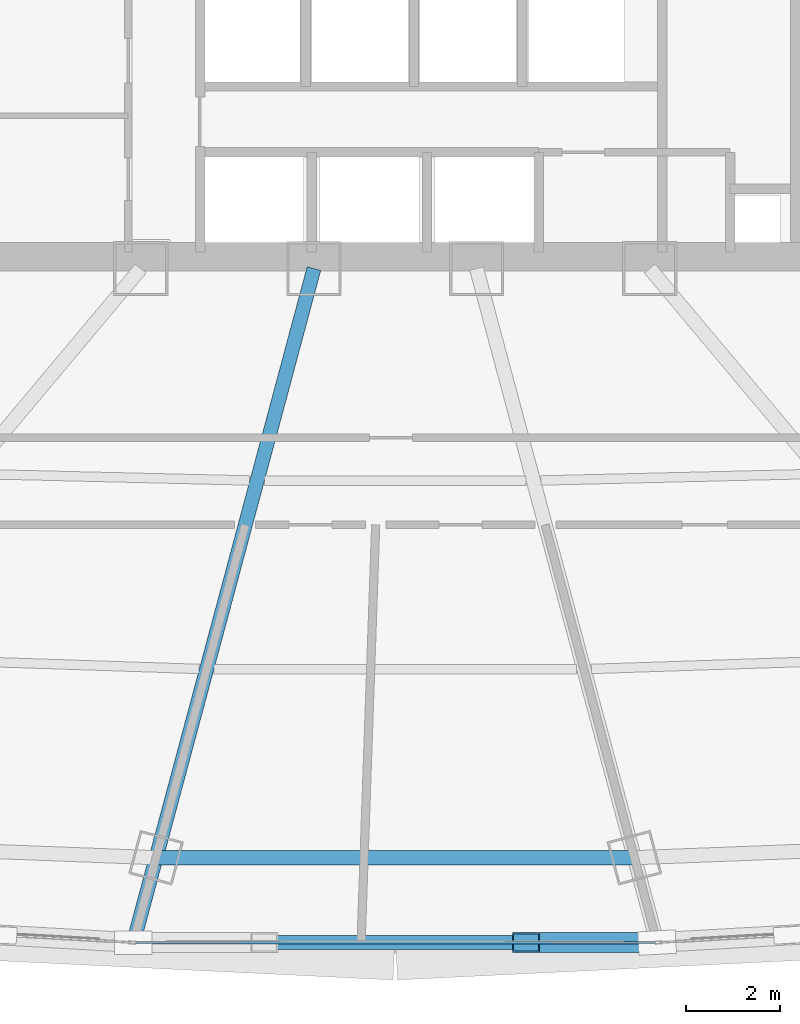
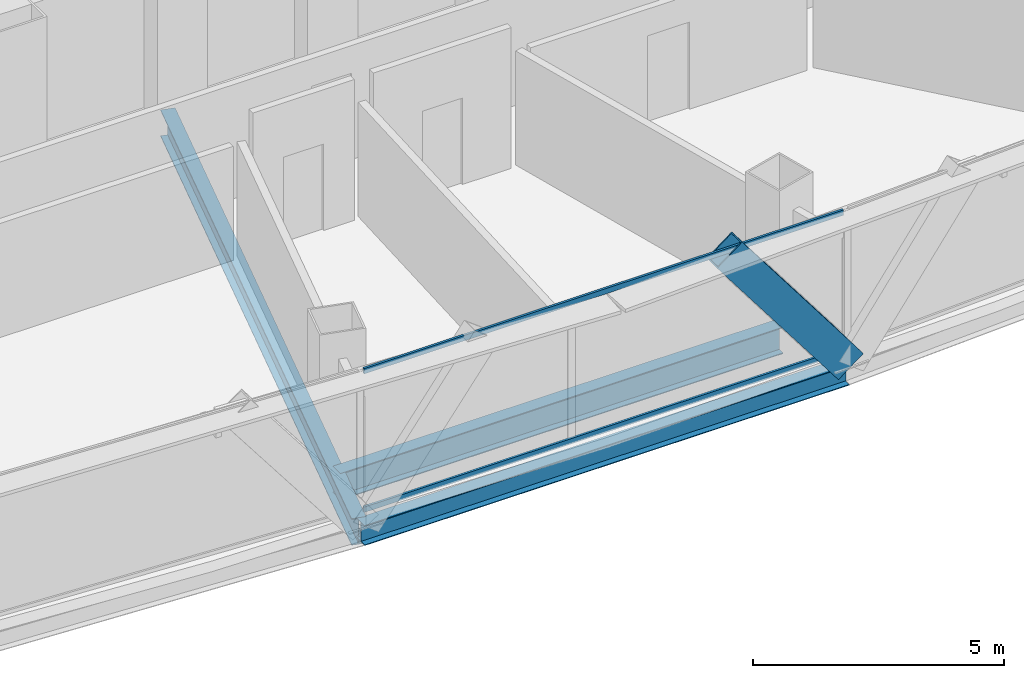
# One storey, part 11 of 42: 3 beams, 3 members, 1 element without a shape of its own.
"""IFC4 building model written with IfcOpenShell, lengths in metres."""

from ifc_helpers import new_model, si_unit, direction, frame, origin, origin_2d, place, context, subcontext, project, spatial, hollow_rectangle, i_section, extrude, source, transform, mapped, material, layer, layer_set, material_profile, profile_set, type_object, element, aggregate, save


model = new_model("IFC4")

# Units and contexts
model_context = context("Model", 3, precision=1e-05, world=origin(), true_north=direction((0.0, 1.0)))
body_context = subcontext(model_context, "Body", "Model", "MODEL_VIEW")
ifc_project = project(units=[si_unit("LENGTHUNIT", "METRE"), si_unit("AREAUNIT", "SQUARE_METRE"), si_unit("VOLUMEUNIT", "CUBIC_METRE"), si_unit("PLANEANGLEUNIT", "RADIAN"), si_unit("MASSUNIT", "GRAM", prefix="KILO"), si_unit("THERMODYNAMICTEMPERATUREUNIT", "KELVIN"), si_unit("POWERUNIT", "WATT")], contexts=[model_context])

# Site, building, storey
site_placement = place(None, origin())
site = spatial("IfcSite", under=ifc_project, at=site_placement, CompositionType="ELEMENT")
building_placement = place(site_placement, origin())
building = spatial("IfcBuilding", under=site, at=building_placement, Name="Yunzhuo Pagoda Commons", CompositionType="ELEMENT")
storey_placement = place(building_placement, frame((0.0, 0.0, 129.830078125)))
storey = spatial("IfcBuildingStorey", under=building, at=storey_placement, Name="L32", CompositionType="ELEMENT", Elevation=129.830078125)

# Beams
ifc_material_1 = material(Name="Structural steel Q355B", Category="steel")
ifc_material_profile_1 = material_profile(ifc_material_1, i_section(OverallWidth=0.300048828125, OverallDepth=0.488037109375, WebThickness=0.010986328125, FlangeThickness=0.01806640625, at=origin_2d()), Name="Structural steel Q355B")
ifc_profile_set_1 = profile_set([ifc_material_profile_1], Name="Structural steel Q355B")
beam_type_1 = type_object("IfcBeamType", Name="B-SP1 Beam HM 488x300x11x18", PredefinedType="BEAM", material=ifc_profile_set_1)
shared_shape_1 = source(origin(), body_context, "Body", "SweptSolid", [
    extrude(i_section(OverallWidth=0.300048828125, OverallDepth=0.488037109375, WebThickness=0.010986328125, FlangeThickness=0.01806640625, at=origin_2d()), origin(), (0.0, 0.0, 1.0), 11.13720703125),
])
beam_1_placement = place(storey_placement, frame((42.431640625, 12.917724609375, -0.504150390625), z_axis=(1.0, 0.0, 0.0), x_axis=(0.0, 1.0, 0.0)))
element("IfcBeam", 1, at=beam_1_placement, inside=storey, type_object=beam_type_1, Name="L32 facade edge spandrel beam F1.2", PredefinedType="BEAM", context=body_context, shape_type="MappedRepresentation", body=[
    mapped(shared_shape_1, transform((0.0, 0.0, 0.0), scale=1.0)),
])
ifc_material_profile_2 = material_profile(ifc_material_1, i_section(OverallWidth=0.300048828125, OverallDepth=0.64990234375, WebThickness=0.012939453125, FlangeThickness=0.02197265625, at=origin_2d()), Name="Structural steel Q355B")
ifc_profile_set_2 = profile_set([ifc_material_profile_2], Name="Structural steel Q355B")
beam_type_2 = type_object("IfcBeamType", Name="B-RG2 Beam HN 650x300x13x22", PredefinedType="BEAM", material=ifc_profile_set_2)
shared_shape_2 = source(origin(), body_context, "Body", "SweptSolid", [
    extrude(i_section(OverallWidth=0.300048828125, OverallDepth=0.64990234375, WebThickness=0.012939453125, FlangeThickness=0.02197265625, at=origin_2d()), origin(), (0.0, 0.0, 1.0), 14.68310546875),
])
beam_2_placement = place(storey_placement, frame((42.4716796875, 13.067138671875, -0.5849609375), z_axis=(0.258819472716, 0.96592571171, 0.0), x_axis=(-0.96592571171, 0.258819472716, 0.0)))
element("IfcBeam", 2, at=beam_2_placement, inside=storey, type_object=beam_type_2, Name="L32 radial floor girder F1C2", PredefinedType="BEAM", context=body_context, shape_type="MappedRepresentation", body=[
    mapped(shared_shape_2, transform((0.0, 0.0, 0.0), scale=1.0)),
])
shared_shape_3 = source(origin(), body_context, "Body", "SweptSolid", [
    extrude(i_section(OverallWidth=0.300048828125, OverallDepth=0.64990234375, WebThickness=0.012939453125, FlangeThickness=0.02197265625, at=origin_2d()), origin(), (0.0, 0.0, 1.0), 10.17041015625),
])
beam_3_placement = place(storey_placement, frame((42.914794921875, 14.7216796875, -0.5849609375), z_axis=(1.0, 0.0, 0.0), x_axis=(0.0, 1.0, 0.0)))
element("IfcBeam", 3, at=beam_3_placement, inside=storey, type_object=beam_type_2, Name="L32 column-ring beam 2", PredefinedType="BEAM", context=body_context, shape_type="MappedRepresentation", body=[
    mapped(shared_shape_3, transform((0.0, 0.0, 0.0), scale=1.0)),
])

# Member
ifc_material_2 = material(Name="Structural steel Q420B", Category="steel")
ifc_material_profile_3 = material_profile(ifc_material_2, hollow_rectangle(XDim=0.419921875, YDim=0.719970703125, WallThickness=0.028076171875, at=origin_2d()), Name="Structural steel Q420B")
ifc_profile_set_3 = profile_set([ifc_material_profile_3], Name="Structural steel Q420B")
member_type_1 = type_object("IfcMemberType", Name="M-DL1 Brace BOX 720x420x28", PredefinedType="BRACE", material=ifc_profile_set_3)
shared_shape_4 = source(origin(), body_context, "Body", "SweptSolid", [
    extrude(hollow_rectangle(XDim=0.419921875, YDim=0.719970703125, WallThickness=0.028076171875, at=origin_2d()), origin(), (0.0, 0.0, 1.0), 4.61474609375),
])
member_1_placement = place(storey_placement, frame((53.56884765625, 12.917724609375, -0.260009765625), z_axis=(-0.603389025973, 0.0, 0.797446978385), x_axis=(0.0, -1.0, 0.0)))
element("IfcMember", 4, at=member_1_placement, inside=storey, type_object=member_type_1, Name="L32 facade diamond brace F1.2R", PredefinedType="BRACE", context=body_context, shape_type="MappedRepresentation", body=[
    mapped(shared_shape_4, transform((0.0, 0.0, 0.0), scale=1.0)),
])

# Curtain wall, members
ifc_material_3 = material(Name="Anodized aluminium 6063-T6", Category="aluminium")
ifc_layer = layer(ifc_material_3, 0.14990234375)
ifc_layer_set = layer_set([ifc_layer], Name="Anodized aluminium 6063-T6")
curtain_wall_type = type_object("IfcCurtainWallType", Name="CW-MID Mid-Zone Ribbon Curtain Wall", PredefinedType="NOTDEFINED", material=ifc_layer_set)
curtain_wall_placement = place(storey_placement, origin())
curtain_wall = element("IfcCurtainWall", 5, at=curtain_wall_placement, inside=storey, type_object=curtain_wall_type, Name="L32 curtain wall CW-L32-F1B3", PredefinedType="NOTDEFINED")
ifc_material_profile_4 = material_profile(ifc_material_3, hollow_rectangle(XDim=0.054931640625, YDim=0.1298828125, WallThickness=0.00341796875, at=origin_2d()), Name="Anodized aluminium 6063-T6")
ifc_profile_set_4 = profile_set([ifc_material_profile_4], Name="Anodized aluminium 6063-T6")
member_type_2 = type_object("IfcMemberType", Name="CW-MID-T Transom RHS 130x55x3.5", PredefinedType="USERDEFINED", material=ifc_profile_set_4)
shared_shape_5 = source(origin(), body_context, "Body", "SweptSolid", [
    extrude(hollow_rectangle(XDim=0.054931640625, YDim=0.1298828125, WallThickness=0.00341796875, at=origin_2d()), origin(), (0.0, 0.0, 1.0), 11.017578125),
])
member_2_placement = place(storey_placement, frame((42.4912109375, 12.917724609375, 0.02734375), z_axis=(1.0, 0.0, 0.0), x_axis=(0.0, 1.0, 0.0)))
member_2 = element("IfcMember", 6, at=member_2_placement, type_object=member_type_2, Name="CW transom 1.1", ObjectType="TRANSOM", PredefinedType="USERDEFINED", context=body_context, shape_type="MappedRepresentation", body=[
    mapped(shared_shape_5, transform((0.0, 0.0, 0.0), scale=1.0)),
])
member_3_placement = place(storey_placement, frame((42.4912109375, 12.917724609375, 3.392333984375), z_axis=(1.0, 0.0, 0.0), x_axis=(0.0, 1.0, 0.0)))
member_3 = element("IfcMember", 7, at=member_3_placement, type_object=member_type_2, Name="CW transom 1.2", ObjectType="TRANSOM", PredefinedType="USERDEFINED", context=body_context, shape_type="MappedRepresentation", body=[
    mapped(shared_shape_5, transform((0.0, 0.0, 0.0), scale=1.0)),
])
aggregate(curtain_wall, [member_2, member_3])

save(model, "model.ifc")
